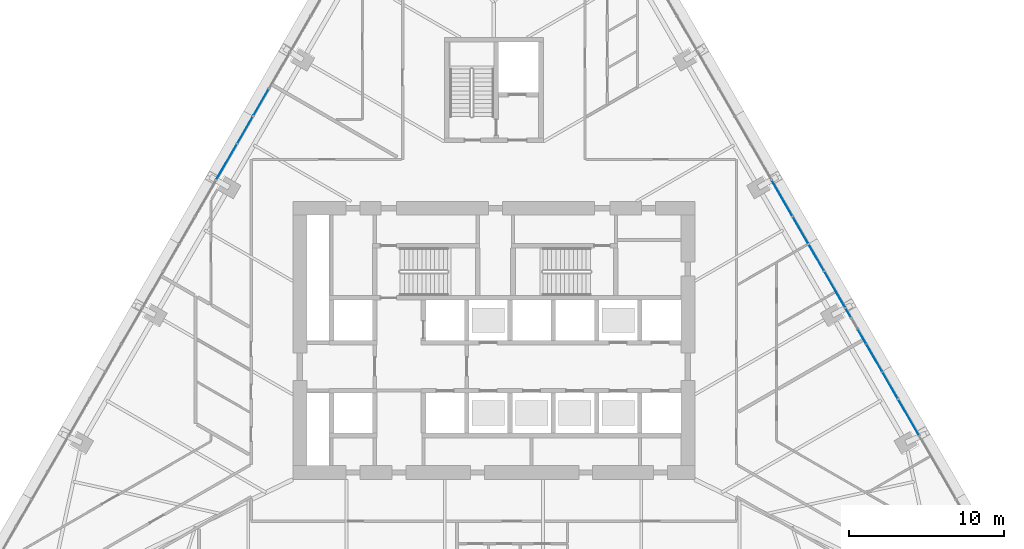
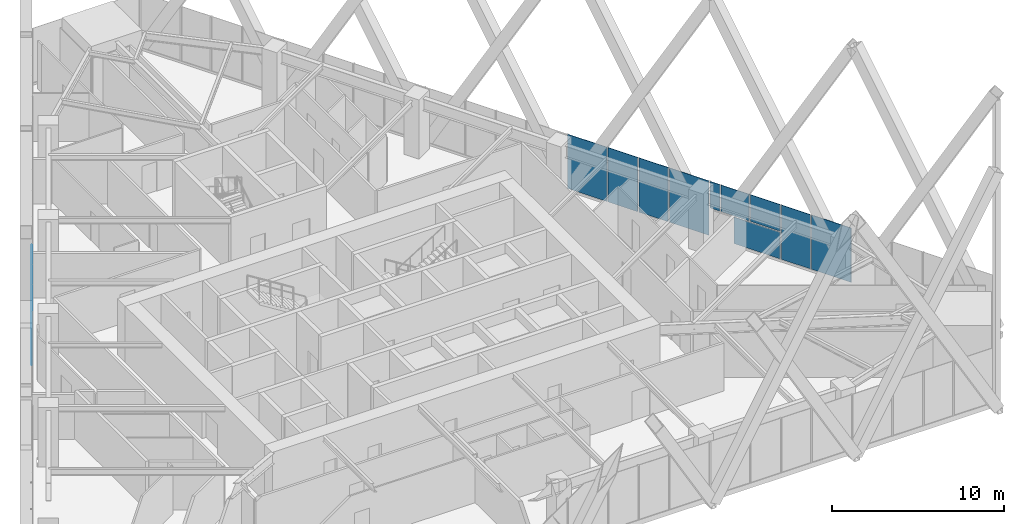
# One storey, part 15 of 23: 13 plates, 2 elements without a shape of their own.
"""IFC4 building model written with IfcOpenShell, lengths in metres."""

from ifc_helpers import new_model, si_unit, direction, frame, origin, place, context, subcontext, project, spatial, polyline, outline, extrude, material, layer, layer_set, type_object, element, aggregate, save


model = new_model("IFC4")

# Units and contexts
model_context = context("Model", 3, precision=1e-05, world=origin(), true_north=direction((0.0, 1.0)))
body_context = subcontext(model_context, "Body", "Model", "MODEL_VIEW")
ifc_project = project(units=[si_unit("LENGTHUNIT", "METRE"), si_unit("AREAUNIT", "SQUARE_METRE"), si_unit("VOLUMEUNIT", "CUBIC_METRE"), si_unit("PLANEANGLEUNIT", "RADIAN"), si_unit("MASSUNIT", "GRAM", prefix="KILO")], contexts=[model_context])

# Site, building, storey
site_placement = place(None, origin())
site = spatial("IfcSite", under=ifc_project, at=site_placement, CompositionType="ELEMENT")
building_placement = place(site_placement, origin())
building = spatial("IfcBuilding", under=site, at=building_placement, Name="Firuza Gate Tower and Library", CompositionType="ELEMENT")
storey_placement = place(building_placement, frame((0.0, 0.0, 56.800048828125)))
storey = spatial("IfcBuildingStorey", under=building, at=storey_placement, Name="L12", CompositionType="ELEMENT", Elevation=56.800048828125)

# Curtain wall, plates
ifc_material_1 = material(Name="Aluminium 6063-T6", Category="aluminium")
ifc_layer_1 = layer(ifc_material_1, 0.14990234375)
ifc_layer_set_1 = layer_set([ifc_layer_1], Name="Unitised curtain wall, offices")
curtain_wall_type = type_object("IfcCurtainWallType", Name="Unitised curtain wall, offices", PredefinedType="NOTDEFINED", material=ifc_layer_set_1)
placement = place(storey_placement, origin())
curtain_wall_1 = element("IfcCurtainWall", 1, at=placement, inside=storey, type_object=curtain_wall_type, Name="CW1 L12 E face", PredefinedType="NOTDEFINED")
ifc_material_2 = material(Name="Fritted glass", Category="glass")
ifc_layer_2 = layer(ifc_material_2, 0.030029296875)
ifc_layer_set_2 = layer_set([ifc_layer_2], Name="Fritted glass unit, offices")
plate_type_1 = type_object("IfcPlateType", Name="Fritted glass unit, offices", PredefinedType="CURTAIN_PANEL", material=ifc_layer_set_2)
plate_1_placement = place(storey_placement, frame((101.13525390625, 71.25439453125, 0.14990234375), z_axis=(0.866083337222, 0.499899642914, 0.0), x_axis=(-0.499899642914, 0.866083337222, 0.0)))
plate_1 = element("IfcPlate", 2, at=plate_1_placement, type_object=plate_type_1, Name="Glass unit", PredefinedType="CURTAIN_PANEL", context=body_context, shape_type="SweptSolid", body=[
    extrude(outline(polyline([(0.0, 0.0), (1.9481449265450719, 0.0), (1.9481449265450719, 3.85009765625), (0.0, 3.85009765625), (0.0, 0.0)])), origin(), (0.0, 0.0, -1.0), 0.030029296875),
])
plate_2_placement = place(storey_placement, frame((100.121337890625, 73.0107421875, 0.14990234375), z_axis=(0.866039014152, 0.499976425411, 0.0), x_axis=(-0.499976425411, 0.866039014152, 0.0)))
plate_2 = element("IfcPlate", 3, at=plate_2_placement, type_object=plate_type_1, Name="Glass unit", PredefinedType="CURTAIN_PANEL", context=body_context, shape_type="SweptSolid", body=[
    extrude(outline(polyline([(0.0, 0.0), (3.106591785746826, 0.0), (3.106591785746826, 1.885009765625), (0.0, 1.885009765625), (0.0, 0.0)])), origin(), (0.0, 0.0, -1.0), 0.030029296875),
])
plate_3_placement = place(storey_placement, frame((100.121337890625, 73.0107421875, 2.114990234375), z_axis=(0.86604676013, 0.4999630079, 0.0), x_axis=(-0.4999630079, 0.86604676013, 0.0)))
plate_3 = element("IfcPlate", 4, at=plate_3_placement, type_object=plate_type_1, Name="Glass unit", PredefinedType="CURTAIN_PANEL", context=body_context, shape_type="SweptSolid", body=[
    extrude(outline(polyline([(0.0, 0.0), (1.991358266546429, 0.0), (1.991358266546429, 1.885009765625), (0.0, 1.885009765625), (0.0, 0.0)])), origin(), (0.0, 0.0, -1.0), 0.030029296875),
])
plate_4_placement = place(storey_placement, frame((98.103271484375, 76.506103515625, 2.114990234375), z_axis=(0.866136199691, 0.499808046739, 0.0), x_axis=(-0.499808046739, 0.866136199691, 0.0)))
plate_4 = element("IfcPlate", 5, at=plate_4_placement, type_object=plate_type_1, Name="Glass unit", PredefinedType="CURTAIN_PANEL", context=body_context, shape_type="SweptSolid", body=[
    extrude(outline(polyline([(0.0, 0.0), (0.6584559105180783, 0.0), (0.6584559105180783, 1.8850097656250004), (0.0, 1.8850097656250004), (0.0, 0.0)])), origin(), (0.0, 0.0, -1.0), 0.030029296875),
])
plate_5_placement = place(storey_placement, frame((96.3681640625, 79.511474609375, 0.14990234375), z_axis=(0.866053012549, 0.499952177167, 0.0), x_axis=(-0.499952177167, 0.866053012549, 0.0)))
plate_5 = element("IfcPlate", 6, at=plate_5_placement, type_object=plate_type_1, Name="Glass unit", PredefinedType="CURTAIN_PANEL", context=body_context, shape_type="SweptSolid", body=[
    extrude(outline(polyline([(0.0, 0.0), (1.9625900569832617, 0.0), (1.9625900569832617, 3.85009765625), (0.0, 3.85009765625), (0.0, 0.0)])), origin(), (0.0, 0.0, -1.0), 0.030029296875),
])
plate_6_placement = place(storey_placement, frame((95.346923828125, 81.2802734375, 0.14990234375), z_axis=(0.866023127892, 0.500003941941, 0.0), x_axis=(-0.500003941941, 0.866023127892, 0.0)))
plate_6 = element("IfcPlate", 7, at=plate_6_placement, type_object=plate_type_1, Name="Glass unit", PredefinedType="CURTAIN_PANEL", context=body_context, shape_type="SweptSolid", body=[
    extrude(outline(polyline([(0.0, 0.0), (1.977035194537148, 0.0), (1.977035194537148, 3.85009765625), (0.0, 3.85009765625), (0.0, 0.0)])), origin(), (0.0, 0.0, -1.0), 0.030029296875),
])

curtain_wall_2 = element("IfcCurtainWall", 8, at=placement, inside=storey, type_object=curtain_wall_type, Name="CW1 L12 W face", PredefinedType="NOTDEFINED")
plate_7_placement = place(storey_placement, frame((60.408935546875, 91.24951171875, 0.14990234375), z_axis=(-0.865968040721, 0.50009934258, 0.0), x_axis=(-0.50009934258, -0.865968040721, 0.0)))
plate_7 = element("IfcPlate", 9, at=plate_7_placement, type_object=plate_type_1, Name="Glass unit", PredefinedType="CURTAIN_PANEL", context=body_context, shape_type="SweptSolid", body=[
    extrude(outline(polyline([(0.0, 0.0), (1.9625007052329186, 0.0), (1.9625007052329186, 3.8500976562499996), (0.0, 3.8500976562499996), (0.0, 0.0)])), origin(), (0.0, 0.0, -1.0), 0.030029296875),
])
plate_8_placement = place(storey_placement, frame((59.3876953125, 89.480712890625, 0.14990234375), z_axis=(-0.866023127892, 0.500003941941, 0.0), x_axis=(-0.500003941941, -0.866023127892, 0.0)))
plate_8 = element("IfcPlate", 10, at=plate_8_placement, type_object=plate_type_1, Name="Glass unit", PredefinedType="CURTAIN_PANEL", context=body_context, shape_type="SweptSolid", body=[
    extrude(outline(polyline([(0.0, 0.0), (1.977035194537148, 0.0), (1.977035194537148, 3.85009765625), (0.0, 3.85009765625), (0.0, 0.0)])), origin(), (0.0, 0.0, -1.0), 0.030029296875),
])

# Plate
ifc_material_3 = material(Name="Glazed ceramic tile")
ifc_layer_3 = layer(ifc_material_3, 0.030029296875)
ifc_layer_set_3 = layer_set([ifc_layer_3], Name="Opaque ceramic panel, offices")
plate_type_2 = type_object("IfcPlateType", Name="Opaque ceramic panel, offices", PredefinedType="CURTAIN_PANEL", material=ifc_layer_set_3)
plate_9_placement = place(storey_placement, frame((102.508544921875, 68.8759765625, 0.14990234375), z_axis=(0.866031596129, 0.499989274391, 0.0), x_axis=(-0.499989274391, 0.866031596129, 0.0)))
plate_9 = element("IfcPlate", 11, at=plate_9_placement, type_object=plate_type_2, Name="Opaque ceramic panel", PredefinedType="CURTAIN_PANEL", context=body_context, shape_type="SweptSolid", body=[
    extrude(outline(polyline([(0.0, 0.0), (2.6665611072350224, 0.0), (2.6665611072350224, 3.8500976562499996), (0.0, 3.8500976562499996), (0.0, 0.0)])), origin(), (0.0, 0.0, -1.0), 0.030029296875),
])

plate_10_placement = place(storey_placement, frame((99.085693359375, 74.8046875, 2.114990234375), z_axis=(0.866002210665, 0.500040169509, 0.0), x_axis=(-0.500040169509, 0.866002210665, 0.0)))
plate_10 = element("IfcPlate", 12, at=plate_10_placement, type_object=plate_type_2, Name="Opaque ceramic panel", PredefinedType="CURTAIN_PANEL", context=body_context, shape_type="SweptSolid", body=[
    extrude(outline(polyline([(0.0, 0.0), (1.8846142169441247, 0.0), (1.8846142169441247, 1.885009765625), (0.0, 1.885009765625), (0.0, 0.0)])), origin(), (0.0, 0.0, -1.0), 0.030029296875),
])

plate_11_placement = place(storey_placement, frame((97.734130859375, 77.1455078125, 0.14990234375), z_axis=(0.866053756817, 0.499950887891, 0.0), x_axis=(-0.499950887891, 0.866053756817, 0.0)))
plate_11 = element("IfcPlate", 13, at=plate_11_placement, type_object=plate_type_2, Name="Opaque ceramic panel", PredefinedType="CURTAIN_PANEL", context=body_context, shape_type="SweptSolid", body=[
    extrude(outline(polyline([(0.0, 0.0), (2.6521159707693442, 0.0), (2.6521159707693442, 3.85009765625), (0.0, 3.85009765625), (0.0, 0.0)])), origin(), (0.0, 0.0, -1.0), 0.030029296875),
])

plate_12_placement = place(storey_placement, frame((94.318359375, 83.061767578125, 0.14990234375), z_axis=(0.866012943183, 0.500021581774, 0.0), x_axis=(-0.500021581774, 0.866012943183, 0.0)))
plate_12 = element("IfcPlate", 14, at=plate_12_placement, type_object=plate_type_2, Name="Opaque ceramic panel", PredefinedType="CURTAIN_PANEL", context=body_context, shape_type="SweptSolid", body=[
    extrude(outline(polyline([(0.0, 0.0), (2.637581465127422, 0.0), (2.637581465127422, 3.85009765625), (0.0, 3.85009765625), (0.0, 0.0)])), origin(), (0.0, 0.0, -1.0), 0.030029296875),
])

aggregate(curtain_wall_1, [plate_9, plate_1, plate_2, plate_3, plate_10, plate_4, plate_11, plate_5, plate_6, plate_12])

plate_13_placement = place(storey_placement, frame((58.359130859375, 87.699462890625, 0.14990234375), z_axis=(-0.866012943183, 0.500021581774, 0.0), x_axis=(-0.500021581774, -0.866012943183, 0.0)))
plate_13 = element("IfcPlate", 15, at=plate_13_placement, type_object=plate_type_2, Name="Opaque ceramic panel", PredefinedType="CURTAIN_PANEL", context=body_context, shape_type="SweptSolid", body=[
    extrude(outline(polyline([(0.0, 0.0), (2.637581465127422, 0.0), (2.637581465127422, 3.85009765625), (0.0, 3.85009765625), (0.0, 0.0)])), origin(), (0.0, 0.0, -1.0), 0.030029296875),
])

aggregate(curtain_wall_2, [plate_7, plate_8, plate_13])

save(model, "model.ifc")
